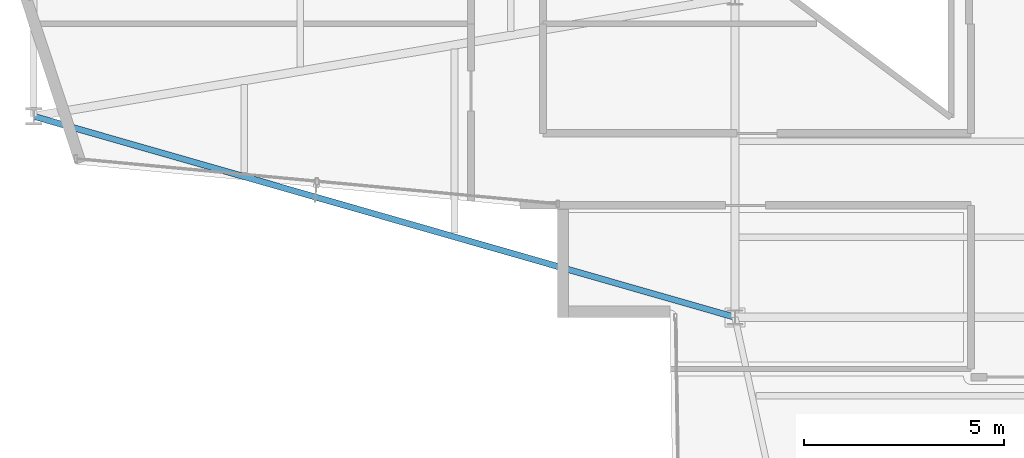
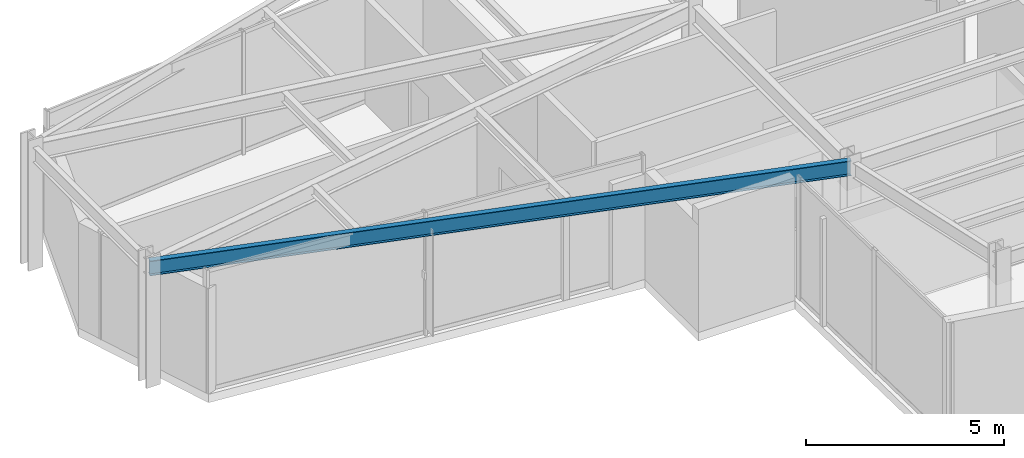
# One storey, part 3 of 24: 1 beam.
"""IFC4 building model written with IfcOpenShell, lengths in metres."""

from ifc_helpers import new_model, si_unit, direction, frame, origin, origin_2d, place, context, subcontext, project, spatial, i_section, extrude, material, material_profile, profile_set, type_object, element, save


model = new_model("IFC4")

# Units and contexts
model_context = context("Model", 3, precision=1e-05, world=origin(), true_north=direction((0.0, 1.0)))
body_context = subcontext(model_context, "Body", "Model", "MODEL_VIEW")
ifc_project = project(units=[si_unit("LENGTHUNIT", "METRE"), si_unit("AREAUNIT", "SQUARE_METRE"), si_unit("VOLUMEUNIT", "CUBIC_METRE"), si_unit("PLANEANGLEUNIT", "RADIAN"), si_unit("MASSUNIT", "GRAM", prefix="KILO")], contexts=[model_context])

# Site, building, storey
site_placement = place(None, origin())
site = spatial("IfcSite", under=ifc_project, at=site_placement, CompositionType="ELEMENT")
building_placement = place(site_placement, origin())
building = spatial("IfcBuilding", under=site, at=building_placement, Name="Veymaron Broadcast Tower", CompositionType="ELEMENT")
storey_placement = place(building_placement, frame((0.0, 0.0, 220.199951171875)))
storey = spatial("IfcBuildingStorey", under=building, at=storey_placement, Name="L51", CompositionType="ELEMENT", Elevation=220.199951171875)

# Beam
ifc_material = material(Name="Structural steel ASTM A992 Gr 50", Category="steel")
ifc_material_profile = material_profile(ifc_material, i_section(OverallWidth=0.154052734375, OverallDepth=0.458984375, WebThickness=0.009033203125, FlangeThickness=0.015380859375, at=origin_2d()), Name="W460X68")
ifc_profile_set = profile_set([ifc_material_profile], Name="Structural steel ASTM A992 Gr 50")
beam_type = type_object("IfcBeamType", Name="BM-SP2", PredefinedType="SPANDREL", material=ifc_profile_set)
beam_placement = place(storey_placement, frame((13.6650390625, 21.02490234375, 3.560546875), z_axis=(0.961307479344, -0.27547764003, 0.0), x_axis=(0.27547764003, 0.961307479344, 0.0)))
element("IfcBeam", 1, at=beam_placement, inside=storey, type_object=beam_type, Name="L51 primary structural floor girder", PredefinedType="SPANDREL", context=body_context, shape_type="SweptSolid", body=[
    extrude(i_section(OverallWidth=0.154052734375, OverallDepth=0.458984375, WebThickness=0.009033203125, FlangeThickness=0.015380859375, at=origin_2d()), origin(), (0.0, 0.0, 1.0), 18.24072265625),
])

save(model, "model.ifc")
